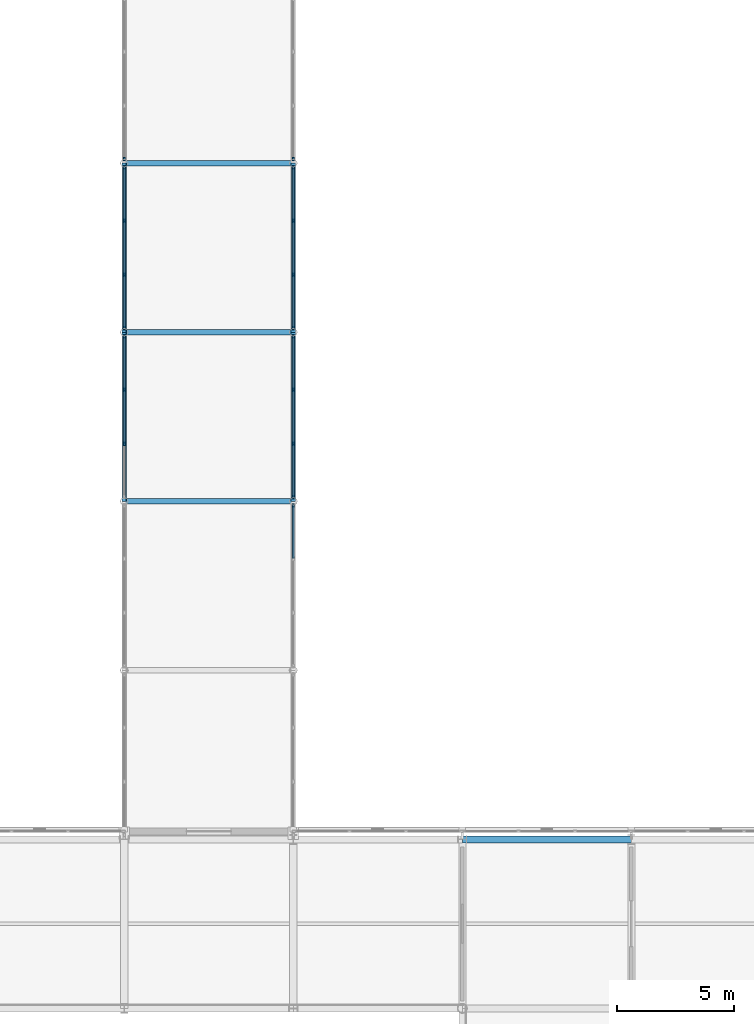
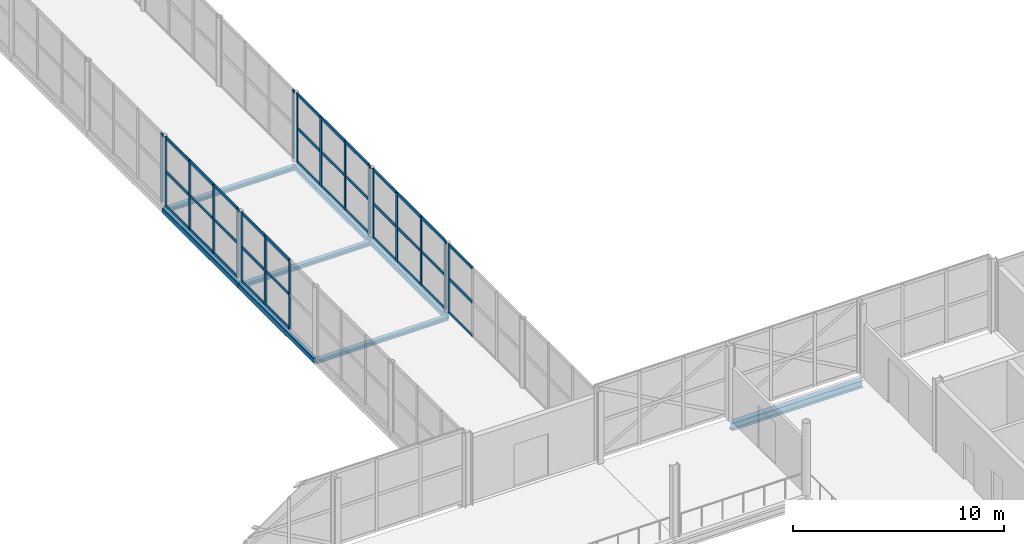
# One storey, part 46 of 146: 54 members, 8 beams, 7 elements without a shape of their own.
"""IFC4 building model written with IfcOpenShell, lengths in metres."""

import ifcopenshell
import ifcopenshell.guid

model = None  # the IFC model being written
_history = None  # IfcOwnerHistory: only IFC2X3 demands one
_inside = {}  # id of a spatial element -> (the spatial element, [elements in it])
_under = {}  # id of a project, library or spatial element -> (it, [spatial elements below it])
_declared = {}  # id of a project -> (the project, [libraries it declares])
_typed = {}  # id of a type object -> (the type object, [elements of that type])
_made_of = {}  # id of a material, layer set ... -> (it, [elements and type objects made of it])


def new_model(schema):
    """Start an empty IFC model of exactly this schema.

    Asked for "IFC4X3", IfcOpenShell would pick the latest addendum, in which some entities
    have other attributes; the version numbers below select the first issue.
    IFC2X3 requires an IfcOwnerHistory on every rooted entity: one is made here for all.
    """
    global model, _history
    if schema == "IFC4X3":
        model = ifcopenshell.file(schema_version=(4, 3, 0, 0))
    else:
        model = ifcopenshell.file(schema=schema)
    _inside.clear()
    _under.clear()
    _declared.clear()
    _typed.clear()
    _made_of.clear()
    _history = None
    if model.schema == "IFC2X3":
        org = make("IfcOrganization", Name="unknown")
        user = make(
            "IfcPersonAndOrganization",
            ThePerson=make("IfcPerson", FamilyName="unknown"),
            TheOrganization=org,
        )
        app = make(
            "IfcApplication",
            ApplicationDeveloper=org,
            Version="unknown",
            ApplicationFullName="unknown",
            ApplicationIdentifier="unknown",
        )
        _history = make(
            "IfcOwnerHistory",
            OwningUser=user,
            OwningApplication=app,
            ChangeAction="ADDED",
            CreationDate=0,
        )
    return model


def make(cls, **values):
    """One entity of the class cls with the attributes given. An attribute that is None is left unset."""
    return model.create_entity(
        cls, **{name: value for name, value in values.items() if value is not None}
    )


def rooted(cls, **values):
    """An entity with a GlobalId (a new one), such as an element, a storey or a relation."""
    return make(cls, GlobalId=ifcopenshell.guid.new(), OwnerHistory=_history, **values)


def si_unit(unit_type, name, prefix=None):
    """IfcSIUnit, for example si_unit("LENGTHUNIT", "METRE", prefix="MILLI")."""
    return make("IfcSIUnit", UnitType=unit_type, Prefix=prefix, Name=name)


def assignment(units):
    """IfcUnitAssignment: the units of a project."""
    return None if units is None else make("IfcUnitAssignment", Units=units)


def point(xyz):
    """IfcCartesianPoint."""
    return None if xyz is None else make("IfcCartesianPoint", Coordinates=xyz)


def direction(xyz):
    """IfcDirection."""
    return None if xyz is None else make("IfcDirection", DirectionRatios=xyz)


def frame(location, z_axis=None, x_axis=None):
    """IfcAxis2Placement3D, a coordinate frame: its origin and axes. An axis left out is left unset."""
    return make(
        "IfcAxis2Placement3D",
        Location=point(location),
        Axis=direction(z_axis),
        RefDirection=direction(x_axis),
    )


def frame_2d(location, x_axis=None):
    """IfcAxis2Placement2D, a coordinate frame in the plane: its origin and x axis."""
    return make(
        "IfcAxis2Placement2D", Location=point(location), RefDirection=direction(x_axis)
    )


def origin():
    """The frame at (0, 0, 0) with its axes left unset."""
    return frame((0.0, 0.0, 0.0))


def origin_2d():
    """The frame at (0, 0) in the plane with its x axis left unset."""
    return frame_2d((0.0, 0.0))


def place(relative_to, where):
    """IfcLocalPlacement: puts the frame where relative to a parent placement (None: the world)."""
    return make(
        "IfcLocalPlacement", PlacementRelTo=relative_to, RelativePlacement=where
    )


def context(
    kind, dimensions, precision=None, world=None, true_north=None, identifier=None
):
    """IfcGeometricRepresentationContext, for example the 3D "Model" context."""
    return make(
        "IfcGeometricRepresentationContext",
        ContextIdentifier=identifier,
        ContextType=kind,
        CoordinateSpaceDimension=dimensions,
        Precision=precision,
        WorldCoordinateSystem=world,
        TrueNorth=true_north,
    )


def subcontext(parent, identifier, kind, view, scale=None):
    """IfcGeometricRepresentationSubContext, for example "Body" below "Model"."""
    return make(
        "IfcGeometricRepresentationSubContext",
        ContextIdentifier=identifier,
        ContextType=kind,
        ParentContext=parent,
        TargetScale=scale,
        TargetView=view,
    )


def project(units=None, contexts=None):
    """IfcProject with its units and contexts."""
    return rooted(
        "IfcProject",
        Name="project",
        RepresentationContexts=contexts,
        UnitsInContext=assignment(units),
    )


def spatial(cls, under=None, at=None, **own):
    """A site, building, storey or space (cls), placed at a placement, below another one or the project."""
    s = rooted(cls, ObjectPlacement=at, **own)
    if under is not None:
        _under.setdefault(under.id(), (under, []))[1].append(s)
    return s


def profile(cls, at=None, kind="AREA", **sizes):
    """A parametric profile (cls). Its sizes go by their IFC names, for example OverallWidth=200.0."""
    return make(cls, ProfileType=kind, Position=at, **sizes)


def rectangle(**sizes):
    """IfcRectangleProfileDef."""
    return profile("IfcRectangleProfileDef", **sizes)


def hollow_rectangle(**sizes):
    """IfcRectangleHollowProfileDef."""
    return profile("IfcRectangleHollowProfileDef", **sizes)


def i_section(**sizes):
    """IfcIShapeProfileDef."""
    return profile("IfcIShapeProfileDef", **sizes)


def extrude(swept, where, along, depth):
    """IfcExtrudedAreaSolid: the profile swept, set in the frame where, extruded along a direction by depth."""
    return make(
        "IfcExtrudedAreaSolid",
        SweptArea=swept,
        Position=where,
        ExtrudedDirection=direction(along),
        Depth=depth,
    )


def shape(context_of_items, identifier, shape_type, items):
    """IfcShapeRepresentation: the items that make up one representation, for example the "Body"."""
    return make(
        "IfcShapeRepresentation",
        ContextOfItems=context_of_items,
        RepresentationIdentifier=identifier,
        RepresentationType=shape_type,
        Items=items,
    )


def material(Name=None, Category=None):
    """IfcMaterial."""
    return make("IfcMaterial", Name=Name, Category=Category)


def material_profile(
    of_material, cross_section, Name=None, Category=None, Priority=None
):
    """IfcMaterialProfile: a cross section and its material."""
    return make(
        "IfcMaterialProfile",
        Name=Name,
        Material=of_material,
        Profile=cross_section,
        Priority=Priority,
        Category=Category,
    )


def profile_set(profiles, Name=None, composite=None):
    """IfcMaterialProfileSet."""
    return make(
        "IfcMaterialProfileSet",
        Name=Name,
        MaterialProfiles=profiles,
        CompositeProfile=composite,
    )


def made_of(thing, what):
    """Note that an element or type object is made of a material, layer set ...; save() writes the relation."""
    if what is not None:
        _made_of.setdefault(what.id(), (what, []))[1].append(thing)
    return thing


def type_object(cls, material=None, **own):
    """A type object (cls), such as IfcWallType, which elements share."""
    return made_of(rooted(cls, **own), material)


def element(
    cls,
    number,
    at=None,
    inside=None,
    cuts=None,
    type_object=None,
    material=None,
    context=None,
    identifier="Body",
    shape_type=None,
    held_by="IfcProductDefinitionShape",
    body=None,
    shapes=None,
    **own,
):
    """One element of the class cls, such as IfcWall. Its Tag is "e" and its number.

    at: its placement. inside: the storey or other place that contains it. cuts: it is an
    opening in that element (IfcRelVoidsElement). A single representation is given by context,
    identifier, shape_type and body (its items); several are given by shapes. held_by: the class
    of the entity that holds the representations. save() writes the other relations.
    """
    e = rooted(cls, Tag="e%d" % number, ObjectPlacement=at, **own)
    if body is not None:
        shapes = [shape(context, identifier, shape_type, body)]
    if shapes is not None:
        e.Representation = make(held_by, Representations=shapes)
    if inside is not None:
        _inside.setdefault(inside.id(), (inside, []))[1].append(e)
    if cuts is not None:
        rooted(
            "IfcRelVoidsElement", RelatingBuildingElement=cuts, RelatedOpeningElement=e
        )
    if type_object is not None:
        _typed.setdefault(type_object.id(), (type_object, []))[1].append(e)
    return made_of(e, material)


def aggregate(whole, parts):
    """IfcRelAggregates: a whole, such as a stair, and the parts it consists of."""
    return rooted("IfcRelAggregates", RelatingObject=whole, RelatedObjects=parts)


def save(model, path):
    """Write the relations noted so far, then the file.

    IfcRelAggregates (storeys below a building ...), IfcRelContainedInSpatialStructure (elements
    in a storey), IfcRelDefinesByType, IfcRelAssociatesMaterial and IfcRelDeclares: one each for
    every whole, place, type object, material and project.
    """
    for whole, parts in _under.values():
        aggregate(whole, parts)
    for where, things in _inside.values():
        rooted(
            "IfcRelContainedInSpatialStructure",
            RelatedElements=things,
            RelatingStructure=where,
        )
    for kind, things in _typed.values():
        rooted("IfcRelDefinesByType", RelatedObjects=things, RelatingType=kind)
    for what, things in _made_of.values():
        rooted("IfcRelAssociatesMaterial", RelatedObjects=things, RelatingMaterial=what)
    for by, libraries in _declared.values():
        rooted("IfcRelDeclares", RelatingContext=by, RelatedDefinitions=libraries)
    model.write(path)


model = new_model("IFC4")

# Units and contexts
model_context = context("Model", 3, precision=1e-05, world=origin(), true_north=direction((0.0, 1.0)))
body_context = subcontext(model_context, "Body", "Model", "MODEL_VIEW")
ifc_project = project(units=[si_unit("LENGTHUNIT", "METRE"), si_unit("AREAUNIT", "SQUARE_METRE"), si_unit("VOLUMEUNIT", "CUBIC_METRE"), si_unit("PLANEANGLEUNIT", "RADIAN"), si_unit("MASSUNIT", "GRAM", prefix="KILO")], contexts=[model_context])

# Site, building, storey
site_placement = place(None, origin())
site = spatial("IfcSite", under=ifc_project, at=site_placement, CompositionType="ELEMENT")
building_placement = place(site_placement, origin())
building = spatial("IfcBuilding", under=site, at=building_placement, Name="Zlatovets Crest Museum", CompositionType="ELEMENT")
storey_placement = place(building_placement, frame((0.0, 0.0, 4.5)))
storey = spatial("IfcBuildingStorey", under=building, at=storey_placement, Name="L01", CompositionType="ELEMENT", Elevation=4.5)

# Beams
ifc_material_1 = material(Name="Structural steel S355J2", Category="steel")
ifc_material_profile_1 = material_profile(ifc_material_1, i_section(OverallWidth=0.239990234375, OverallDepth=0.22998046875, WebThickness=0.007568359375, FlangeThickness=0.011962890625, FilletRadius=0.02099609375, at=origin_2d()), Name="HEA 240")
ifc_profile_set_1 = profile_set([ifc_material_profile_1], Name="Structural steel S355J2")
beam_type_1 = type_object("IfcBeamType", Name="Beam_B-06", PredefinedType="BEAM", material=ifc_profile_set_1)
for number, where, z_axis, x_axis, name in (
    (1, (79.199951171875, 43.199951171875, -0.3701171875), (1.0, 0.0, 0.0), (0.0, 1.0, 0.0), "Central Sculpture Court Cloister and Skywalk L01 Cross Beam"),
    (2, (79.199951171875, 50.39990234375, -0.3701171875), (1.0, 0.0, 0.0), (0.0, 1.0, 0.0), "Central Sculpture Court Cloister and Skywalk L01 Cross Beam"),
    (3, (79.199951171875, 57.60009765625, -0.3701171875), (1.0, 0.0, 0.0), (0.0, 1.0, 0.0), "Central Sculpture Court Cloister and Skywalk L01 Cross Beam"),
):
    element("IfcBeam", number, at=place(storey_placement, frame(where, z_axis=z_axis, x_axis=x_axis)), inside=storey, type_object=beam_type_1, Name=name, PredefinedType="BEAM", context=body_context, shape_type="SweptSolid", body=[
        extrude(i_section(OverallWidth=0.239990234375, OverallDepth=0.22998046875, WebThickness=0.007568359375, FlangeThickness=0.011962890625, FilletRadius=0.02099609375, at=origin_2d()), origin(), (0.0, 0.0, 1.0), 7.199951171875),
    ])
ifc_material_profile_2 = material_profile(ifc_material_1, i_section(OverallWidth=0.300048828125, OverallDepth=0.43994140625, WebThickness=0.011474609375, FlangeThickness=0.02099609375, FilletRadius=0.027099609375, at=origin_2d()), Name="HEA 450")
ifc_profile_set_2 = profile_set([ifc_material_profile_2], Name="Structural steel S355J2")
beam_type_2 = type_object("IfcBeamType", Name="Beam_B-10", PredefinedType="BEAM", material=ifc_profile_set_2)
beam_1_placement = place(storey_placement, frame((93.60009765625, 28.800048828125, -0.43994140625), z_axis=(1.0, 0.0, 0.0), x_axis=(0.0, 1.0, 0.0)))
element("IfcBeam", 4, at=beam_1_placement, inside=storey, type_object=beam_type_2, Name="V2 L01 Primary Girder B-10", PredefinedType="BEAM", context=body_context, shape_type="SweptSolid", body=[
    extrude(i_section(OverallWidth=0.300048828125, OverallDepth=0.43994140625, WebThickness=0.011474609375, FlangeThickness=0.02099609375, FilletRadius=0.027099609375, at=origin_2d()), origin(), (0.0, 0.0, 1.0), 7.199951171875),
])
ifc_material_profile_3 = material_profile(ifc_material_1, hollow_rectangle(XDim=0.199951171875, YDim=0.300048828125, WallThickness=0.012451171875, InnerFilletRadius=0.012451171875, OuterFilletRadius=0.02490234375, at=origin_2d()), Name="RHS 200x300x12.5")
ifc_profile_set_3 = profile_set([ifc_material_profile_3], Name="Structural steel S355J2")
beam_type_3 = type_object("IfcBeamType", Name="Beam_BRG-01", PredefinedType="BEAM", material=ifc_profile_set_3)
beam_2_placement = place(storey_placement, frame((79.199951171875, 43.199951171875, -0.3701171875), z_axis=(0.0, 1.0, 0.0), x_axis=(-1.0, 0.0, 0.0)))
element("IfcBeam", 5, at=beam_2_placement, inside=storey, type_object=beam_type_3, Name="Central Sculpture Court Cloister and Skywalk L01 Stringer Beam", PredefinedType="BEAM", context=body_context, shape_type="SweptSolid", body=[
    extrude(hollow_rectangle(XDim=0.199951171875, YDim=0.300048828125, WallThickness=0.012451171875, InnerFilletRadius=0.012451171875, OuterFilletRadius=0.02490234375, at=origin_2d()), origin(), (0.0, 0.0, 1.0), 7.199951171875),
])
beam_3_placement = place(storey_placement, frame((79.199951171875, 50.39990234375, -0.3701171875), z_axis=(0.0, 1.0, 0.0), x_axis=(-1.0, 0.0, 0.0)))
element("IfcBeam", 6, at=beam_3_placement, inside=storey, type_object=beam_type_3, Name="Central Sculpture Court Cloister and Skywalk L01 Stringer Beam", PredefinedType="BEAM", context=body_context, shape_type="SweptSolid", body=[
    extrude(hollow_rectangle(XDim=0.199951171875, YDim=0.300048828125, WallThickness=0.012451171875, InnerFilletRadius=0.012451171875, OuterFilletRadius=0.02490234375, at=origin_2d()), origin(), (0.0, 0.0, 1.0), 7.2001953125),
])
beam_4_placement = place(storey_placement, frame((86.39990234375, 43.199951171875, -0.3701171875), z_axis=(0.0, 1.0, 0.0), x_axis=(-1.0, 0.0, 0.0)))
element("IfcBeam", 7, at=beam_4_placement, inside=storey, type_object=beam_type_3, Name="Central Sculpture Court Cloister and Skywalk L01 Stringer Beam", PredefinedType="BEAM", context=body_context, shape_type="SweptSolid", body=[
    extrude(hollow_rectangle(XDim=0.199951171875, YDim=0.300048828125, WallThickness=0.012451171875, InnerFilletRadius=0.012451171875, OuterFilletRadius=0.02490234375, at=origin_2d()), origin(), (0.0, 0.0, 1.0), 7.199951171875),
])
beam_5_placement = place(storey_placement, frame((86.39990234375, 50.39990234375, -0.3701171875), z_axis=(0.0, 1.0, 0.0), x_axis=(-1.0, 0.0, 0.0)))
element("IfcBeam", 8, at=beam_5_placement, inside=storey, type_object=beam_type_3, Name="Central Sculpture Court Cloister and Skywalk L01 Stringer Beam", PredefinedType="BEAM", context=body_context, shape_type="SweptSolid", body=[
    extrude(hollow_rectangle(XDim=0.199951171875, YDim=0.300048828125, WallThickness=0.012451171875, InnerFilletRadius=0.012451171875, OuterFilletRadius=0.02490234375, at=origin_2d()), origin(), (0.0, 0.0, 1.0), 7.2001953125),
])

# Curtain wall, members
ifc_material_2 = material(Name="Bronze-anodised aluminium and low-E triple glass", Category="aluminium")
curtain_wall_type = type_object("IfcCurtainWallType", Name="CW_CW-BR5-L01-S69", PredefinedType="NOTDEFINED", material=ifc_material_2)
curtain_wall_1_placement = place(storey_placement, origin())
curtain_wall_1 = element("IfcCurtainWall", 9, at=curtain_wall_1_placement, inside=storey, type_object=curtain_wall_type, Name="Central Sculpture Court Cloister and Skywalk L01 Glazed Bridge Curtain Wall", PredefinedType="NOTDEFINED")
ifc_material_3 = material(Name="Bronze-anodised aluminium EN AW-6060", Category="aluminium")
ifc_material_profile_4 = material_profile(ifc_material_3, rectangle(XDim=0.080078125, YDim=0.159912109375, at=origin_2d()), Name="ALU 80x160")
ifc_profile_set_4 = profile_set([ifc_material_profile_4], Name="Bronze-anodised aluminium EN AW-6060")
member_type_1 = type_object("IfcMemberType", Name="CWMull_M1", PredefinedType="MULLION", material=ifc_profile_set_4)
member_1_placement = place(storey_placement, frame((79.199951171875, 45.64990234375, 0.0), z_axis=(0.0, 0.0, 1.0), x_axis=(-1.0, 0.0, 0.0)))
member_1 = element("IfcMember", 10, at=member_1_placement, type_object=member_type_1, Name="CW-BR5-L01-S69 mullion 2", PredefinedType="MULLION", context=body_context, shape_type="SweptSolid", body=[
    extrude(rectangle(XDim=0.080078125, YDim=0.159912109375, at=origin_2d()), origin(), (0.0, 0.0, 1.0), 3.97998046875),
])
member_2_placement = place(storey_placement, frame((79.199951171875, 47.949951171875, 0.0), z_axis=(0.0, 0.0, 1.0), x_axis=(-1.0, 0.0, 0.0)))
member_2 = element("IfcMember", 11, at=member_2_placement, type_object=member_type_1, Name="CW-BR5-L01-S69 mullion 3", PredefinedType="MULLION", context=body_context, shape_type="SweptSolid", body=[
    extrude(rectangle(XDim=0.080078125, YDim=0.159912109375, at=origin_2d()), origin(), (0.0, 0.0, 1.0), 3.97998046875),
])
member_3_placement = place(storey_placement, frame((79.199951171875, 50.219970703125, 0.0), z_axis=(0.0, 0.0, 1.0), x_axis=(-1.0, 0.0, 0.0)))
member_3 = element("IfcMember", 12, at=member_3_placement, type_object=member_type_1, Name="CW-BR5-L01-S69 mullion 4", PredefinedType="MULLION", context=body_context, shape_type="SweptSolid", body=[
    extrude(rectangle(XDim=0.080078125, YDim=0.159912109375, at=origin_2d()), origin(), (0.0, 0.0, 1.0), 3.97998046875),
])

curtain_wall_2_placement = place(storey_placement, origin())
curtain_wall_2 = element("IfcCurtainWall", 13, at=curtain_wall_2_placement, inside=storey, type_object=curtain_wall_type, Name="Central Sculpture Court Cloister and Skywalk L01 Glazed Bridge Curtain Wall", PredefinedType="NOTDEFINED")
member_4_placement = place(storey_placement, frame((79.199951171875, 50.580078125, 0.0), z_axis=(0.0, 0.0, 1.0), x_axis=(-1.0, 0.0, 0.0)))
member_4 = element("IfcMember", 14, at=member_4_placement, type_object=member_type_1, Name="CW-BR5-L01-S69 mullion 1", PredefinedType="MULLION", context=body_context, shape_type="SweptSolid", body=[
    extrude(rectangle(XDim=0.080078125, YDim=0.159912109375, at=origin_2d()), origin(), (0.0, 0.0, 1.0), 3.97998046875),
])
member_5_placement = place(storey_placement, frame((79.199951171875, 52.85009765625, 0.0), z_axis=(0.0, 0.0, 1.0), x_axis=(-1.0, 0.0, 0.0)))
member_5 = element("IfcMember", 15, at=member_5_placement, type_object=member_type_1, Name="CW-BR5-L01-S69 mullion 2", PredefinedType="MULLION", context=body_context, shape_type="SweptSolid", body=[
    extrude(rectangle(XDim=0.080078125, YDim=0.159912109375, at=origin_2d()), origin(), (0.0, 0.0, 1.0), 3.97998046875),
])
member_6_placement = place(storey_placement, frame((79.199951171875, 55.14990234375, 0.0), z_axis=(0.0, 0.0, 1.0), x_axis=(-1.0, 0.0, 0.0)))
member_6 = element("IfcMember", 16, at=member_6_placement, type_object=member_type_1, Name="CW-BR5-L01-S69 mullion 3", PredefinedType="MULLION", context=body_context, shape_type="SweptSolid", body=[
    extrude(rectangle(XDim=0.080078125, YDim=0.159912109375, at=origin_2d()), origin(), (0.0, 0.0, 1.0), 3.97998046875),
])
member_7_placement = place(storey_placement, frame((79.199951171875, 57.419921875, 0.0), z_axis=(0.0, 0.0, 1.0), x_axis=(-1.0, 0.0, 0.0)))
member_7 = element("IfcMember", 17, at=member_7_placement, type_object=member_type_1, Name="CW-BR5-L01-S69 mullion 4", PredefinedType="MULLION", context=body_context, shape_type="SweptSolid", body=[
    extrude(rectangle(XDim=0.080078125, YDim=0.159912109375, at=origin_2d()), origin(), (0.0, 0.0, 1.0), 3.97998046875),
])

# Curtain wall, member
curtain_wall_3_placement = place(storey_placement, origin())
curtain_wall_3 = element("IfcCurtainWall", 18, at=curtain_wall_3_placement, inside=storey, type_object=curtain_wall_type, Name="Central Sculpture Court Cloister and Skywalk L01 Glazed Bridge Curtain Wall", PredefinedType="NOTDEFINED")
member_8_placement = place(storey_placement, frame((79.199951171875, 57.780029296875, 0.0), z_axis=(0.0, 0.0, 1.0), x_axis=(-1.0, 0.0, 0.0)))
member_8 = element("IfcMember", 19, at=member_8_placement, type_object=member_type_1, Name="CW-BR5-L01-S69 mullion 1", PredefinedType="MULLION", context=body_context, shape_type="SweptSolid", body=[
    extrude(rectangle(XDim=0.080078125, YDim=0.159912109375, at=origin_2d()), origin(), (0.0, 0.0, 1.0), 3.97998046875),
])
aggregate(curtain_wall_3, [member_8])

curtain_wall_4_placement = place(storey_placement, origin())
curtain_wall_4 = element("IfcCurtainWall", 20, at=curtain_wall_4_placement, inside=storey, type_object=curtain_wall_type, Name="Central Sculpture Court Cloister and Skywalk L01 Glazed Bridge Curtain Wall", PredefinedType="NOTDEFINED")
member_9_placement = place(storey_placement, frame((86.39990234375, 43.02001953125, 0.0), z_axis=(0.0, 0.0, 1.0), x_axis=(-1.0, 0.0, 0.0)))
member_9 = element("IfcMember", 21, at=member_9_placement, type_object=member_type_1, Name="CW-BR5-L01-S69 mullion 4", PredefinedType="MULLION", context=body_context, shape_type="SweptSolid", body=[
    extrude(rectangle(XDim=0.080078125, YDim=0.159912109375, at=origin_2d()), origin(), (0.0, 0.0, 1.0), 3.97998046875),
])

# Curtain wall, members
curtain_wall_5_placement = place(storey_placement, origin())
curtain_wall_5 = element("IfcCurtainWall", 22, at=curtain_wall_5_placement, inside=storey, type_object=curtain_wall_type, Name="Central Sculpture Court Cloister and Skywalk L01 Glazed Bridge Curtain Wall", PredefinedType="NOTDEFINED")
member_10_placement = place(storey_placement, frame((86.39990234375, 43.3798828125, 0.0), z_axis=(0.0, 0.0, 1.0), x_axis=(-1.0, 0.0, 0.0)))
member_10 = element("IfcMember", 23, at=member_10_placement, type_object=member_type_1, Name="CW-BR5-L01-S69 mullion 1", PredefinedType="MULLION", context=body_context, shape_type="SweptSolid", body=[
    extrude(rectangle(XDim=0.080078125, YDim=0.159912109375, at=origin_2d()), origin(), (0.0, 0.0, 1.0), 3.97998046875),
])
member_11_placement = place(storey_placement, frame((86.39990234375, 45.64990234375, 0.0), z_axis=(0.0, 0.0, 1.0), x_axis=(-1.0, 0.0, 0.0)))
member_11 = element("IfcMember", 24, at=member_11_placement, type_object=member_type_1, Name="CW-BR5-L01-S69 mullion 2", PredefinedType="MULLION", context=body_context, shape_type="SweptSolid", body=[
    extrude(rectangle(XDim=0.080078125, YDim=0.159912109375, at=origin_2d()), origin(), (0.0, 0.0, 1.0), 3.97998046875),
])
member_12_placement = place(storey_placement, frame((86.39990234375, 47.949951171875, 0.0), z_axis=(0.0, 0.0, 1.0), x_axis=(-1.0, 0.0, 0.0)))
member_12 = element("IfcMember", 25, at=member_12_placement, type_object=member_type_1, Name="CW-BR5-L01-S69 mullion 3", PredefinedType="MULLION", context=body_context, shape_type="SweptSolid", body=[
    extrude(rectangle(XDim=0.080078125, YDim=0.159912109375, at=origin_2d()), origin(), (0.0, 0.0, 1.0), 3.97998046875),
])
member_13_placement = place(storey_placement, frame((86.39990234375, 50.219970703125, 0.0), z_axis=(0.0, 0.0, 1.0), x_axis=(-1.0, 0.0, 0.0)))
member_13 = element("IfcMember", 26, at=member_13_placement, type_object=member_type_1, Name="CW-BR5-L01-S69 mullion 4", PredefinedType="MULLION", context=body_context, shape_type="SweptSolid", body=[
    extrude(rectangle(XDim=0.080078125, YDim=0.159912109375, at=origin_2d()), origin(), (0.0, 0.0, 1.0), 3.97998046875),
])

curtain_wall_6_placement = place(storey_placement, origin())
curtain_wall_6 = element("IfcCurtainWall", 27, at=curtain_wall_6_placement, inside=storey, type_object=curtain_wall_type, Name="Central Sculpture Court Cloister and Skywalk L01 Glazed Bridge Curtain Wall", PredefinedType="NOTDEFINED")
member_14_placement = place(storey_placement, frame((86.39990234375, 50.580078125, 0.0), z_axis=(0.0, 0.0, 1.0), x_axis=(-1.0, 0.0, 0.0)))
member_14 = element("IfcMember", 28, at=member_14_placement, type_object=member_type_1, Name="CW-BR5-L01-S69 mullion 1", PredefinedType="MULLION", context=body_context, shape_type="SweptSolid", body=[
    extrude(rectangle(XDim=0.080078125, YDim=0.159912109375, at=origin_2d()), origin(), (0.0, 0.0, 1.0), 3.97998046875),
])
member_15_placement = place(storey_placement, frame((86.39990234375, 52.85009765625, 0.0), z_axis=(0.0, 0.0, 1.0), x_axis=(-1.0, 0.0, 0.0)))
member_15 = element("IfcMember", 29, at=member_15_placement, type_object=member_type_1, Name="CW-BR5-L01-S69 mullion 2", PredefinedType="MULLION", context=body_context, shape_type="SweptSolid", body=[
    extrude(rectangle(XDim=0.080078125, YDim=0.159912109375, at=origin_2d()), origin(), (0.0, 0.0, 1.0), 3.97998046875),
])
member_16_placement = place(storey_placement, frame((86.39990234375, 55.14990234375, 0.0), z_axis=(0.0, 0.0, 1.0), x_axis=(-1.0, 0.0, 0.0)))
member_16 = element("IfcMember", 30, at=member_16_placement, type_object=member_type_1, Name="CW-BR5-L01-S69 mullion 3", PredefinedType="MULLION", context=body_context, shape_type="SweptSolid", body=[
    extrude(rectangle(XDim=0.080078125, YDim=0.159912109375, at=origin_2d()), origin(), (0.0, 0.0, 1.0), 3.97998046875),
])
member_17_placement = place(storey_placement, frame((86.39990234375, 57.419921875, 0.0), z_axis=(0.0, 0.0, 1.0), x_axis=(-1.0, 0.0, 0.0)))
member_17 = element("IfcMember", 31, at=member_17_placement, type_object=member_type_1, Name="CW-BR5-L01-S69 mullion 4", PredefinedType="MULLION", context=body_context, shape_type="SweptSolid", body=[
    extrude(rectangle(XDim=0.080078125, YDim=0.159912109375, at=origin_2d()), origin(), (0.0, 0.0, 1.0), 3.97998046875),
])

# Curtain wall, member
curtain_wall_7_placement = place(storey_placement, origin())
curtain_wall_7 = element("IfcCurtainWall", 32, at=curtain_wall_7_placement, inside=storey, type_object=curtain_wall_type, Name="Central Sculpture Court Cloister and Skywalk L01 Glazed Bridge Curtain Wall", PredefinedType="NOTDEFINED")
member_18_placement = place(storey_placement, frame((86.39990234375, 57.780029296875, 0.0), z_axis=(0.0, 0.0, 1.0), x_axis=(-1.0, 0.0, 0.0)))
member_18 = element("IfcMember", 33, at=member_18_placement, type_object=member_type_1, Name="CW-BR5-L01-S69 mullion 1", PredefinedType="MULLION", context=body_context, shape_type="SweptSolid", body=[
    extrude(rectangle(XDim=0.080078125, YDim=0.159912109375, at=origin_2d()), origin(), (0.0, 0.0, 1.0), 3.97998046875),
])
aggregate(curtain_wall_7, [member_18])

# Member
ifc_material_profile_5 = material_profile(ifc_material_3, rectangle(XDim=0.080078125, YDim=0.159912109375, at=origin_2d()), Name="ALU 80x160")
ifc_profile_set_5 = profile_set([ifc_material_profile_5], Name="Bronze-anodised aluminium EN AW-6060")
member_type_2 = type_object("IfcMemberType", Name="CWTrans_T1", PredefinedType="USERDEFINED", material=ifc_profile_set_5)
member_19_placement = place(storey_placement, frame((79.199951171875, 45.679931640625, 0.030029296875), z_axis=(0.0, 1.0, 0.0), x_axis=(-1.0, 0.0, 0.0)))
member_19 = element("IfcMember", 34, at=member_19_placement, type_object=member_type_2, Name="CW-BR5-L01-S69 transom 2.1", ObjectType="TRANSOM", PredefinedType="USERDEFINED", context=body_context, shape_type="SweptSolid", body=[
    extrude(rectangle(XDim=0.080078125, YDim=0.159912109375, at=origin_2d()), origin(), (0.0, 0.0, 1.0), 2.239990234375),
])

member_20_placement = place(storey_placement, frame((79.199951171875, 45.679931640625, 1.989990234375), z_axis=(0.0, 1.0, 0.0), x_axis=(-1.0, 0.0, 0.0)))
member_20 = element("IfcMember", 35, at=member_20_placement, type_object=member_type_2, Name="CW-BR5-L01-S69 transom 2.2", ObjectType="TRANSOM", PredefinedType="USERDEFINED", context=body_context, shape_type="SweptSolid", body=[
    extrude(rectangle(XDim=0.080078125, YDim=0.159912109375, at=origin_2d()), origin(), (0.0, 0.0, 1.0), 2.239990234375),
])

member_21_placement = place(storey_placement, frame((79.199951171875, 45.679931640625, 3.949951171875), z_axis=(0.0, 1.0, 0.0), x_axis=(-1.0, 0.0, 0.0)))
member_21 = element("IfcMember", 36, at=member_21_placement, type_object=member_type_2, Name="CW-BR5-L01-S69 transom 2.3", ObjectType="TRANSOM", PredefinedType="USERDEFINED", context=body_context, shape_type="SweptSolid", body=[
    extrude(rectangle(XDim=0.080078125, YDim=0.159912109375, at=origin_2d()), origin(), (0.0, 0.0, 1.0), 2.239990234375),
])

member_22_placement = place(storey_placement, frame((79.199951171875, 47.97998046875, 0.030029296875), z_axis=(0.0, 1.0, 0.0), x_axis=(-1.0, 0.0, 0.0)))
member_22 = element("IfcMember", 37, at=member_22_placement, type_object=member_type_2, Name="CW-BR5-L01-S69 transom 3.1", ObjectType="TRANSOM", PredefinedType="USERDEFINED", context=body_context, shape_type="SweptSolid", body=[
    extrude(rectangle(XDim=0.080078125, YDim=0.159912109375, at=origin_2d()), origin(), (0.0, 0.0, 1.0), 2.2099609375),
])

member_23_placement = place(storey_placement, frame((79.199951171875, 47.97998046875, 1.989990234375), z_axis=(0.0, 1.0, 0.0), x_axis=(-1.0, 0.0, 0.0)))
member_23 = element("IfcMember", 38, at=member_23_placement, type_object=member_type_2, Name="CW-BR5-L01-S69 transom 3.2", ObjectType="TRANSOM", PredefinedType="USERDEFINED", context=body_context, shape_type="SweptSolid", body=[
    extrude(rectangle(XDim=0.080078125, YDim=0.159912109375, at=origin_2d()), origin(), (0.0, 0.0, 1.0), 2.2099609375),
])

member_24_placement = place(storey_placement, frame((79.199951171875, 47.97998046875, 3.949951171875), z_axis=(0.0, 1.0, 0.0), x_axis=(-1.0, 0.0, 0.0)))
member_24 = element("IfcMember", 39, at=member_24_placement, type_object=member_type_2, Name="CW-BR5-L01-S69 transom 3.3", ObjectType="TRANSOM", PredefinedType="USERDEFINED", context=body_context, shape_type="SweptSolid", body=[
    extrude(rectangle(XDim=0.080078125, YDim=0.159912109375, at=origin_2d()), origin(), (0.0, 0.0, 1.0), 2.2099609375),
])

aggregate(curtain_wall_1, [member_1, member_2, member_3, member_19, member_20, member_21, member_22, member_23, member_24])

member_25_placement = place(storey_placement, frame((79.199951171875, 50.610107421875, 0.030029296875), z_axis=(0.0, 1.0, 0.0), x_axis=(-1.0, 0.0, 0.0)))
member_25 = element("IfcMember", 40, at=member_25_placement, type_object=member_type_2, Name="CW-BR5-L01-S69 transom 1.1", ObjectType="TRANSOM", PredefinedType="USERDEFINED", context=body_context, shape_type="SweptSolid", body=[
    extrude(rectangle(XDim=0.080078125, YDim=0.159912109375, at=origin_2d()), origin(), (0.0, 0.0, 1.0), 2.2099609375),
])

member_26_placement = place(storey_placement, frame((79.199951171875, 50.610107421875, 1.989990234375), z_axis=(0.0, 1.0, 0.0), x_axis=(-1.0, 0.0, 0.0)))
member_26 = element("IfcMember", 41, at=member_26_placement, type_object=member_type_2, Name="CW-BR5-L01-S69 transom 1.2", ObjectType="TRANSOM", PredefinedType="USERDEFINED", context=body_context, shape_type="SweptSolid", body=[
    extrude(rectangle(XDim=0.080078125, YDim=0.159912109375, at=origin_2d()), origin(), (0.0, 0.0, 1.0), 2.2099609375),
])

member_27_placement = place(storey_placement, frame((79.199951171875, 50.610107421875, 3.949951171875), z_axis=(0.0, 1.0, 0.0), x_axis=(-1.0, 0.0, 0.0)))
member_27 = element("IfcMember", 42, at=member_27_placement, type_object=member_type_2, Name="CW-BR5-L01-S69 transom 1.3", ObjectType="TRANSOM", PredefinedType="USERDEFINED", context=body_context, shape_type="SweptSolid", body=[
    extrude(rectangle(XDim=0.080078125, YDim=0.159912109375, at=origin_2d()), origin(), (0.0, 0.0, 1.0), 2.2099609375),
])

member_28_placement = place(storey_placement, frame((79.199951171875, 52.8798828125, 0.030029296875), z_axis=(0.0, 1.0, 0.0), x_axis=(-1.0, 0.0, 0.0)))
member_28 = element("IfcMember", 43, at=member_28_placement, type_object=member_type_2, Name="CW-BR5-L01-S69 transom 2.1", ObjectType="TRANSOM", PredefinedType="USERDEFINED", context=body_context, shape_type="SweptSolid", body=[
    extrude(rectangle(XDim=0.080078125, YDim=0.159912109375, at=origin_2d()), origin(), (0.0, 0.0, 1.0), 2.240234375),
])

member_29_placement = place(storey_placement, frame((79.199951171875, 52.8798828125, 1.989990234375), z_axis=(0.0, 1.0, 0.0), x_axis=(-1.0, 0.0, 0.0)))
member_29 = element("IfcMember", 44, at=member_29_placement, type_object=member_type_2, Name="CW-BR5-L01-S69 transom 2.2", ObjectType="TRANSOM", PredefinedType="USERDEFINED", context=body_context, shape_type="SweptSolid", body=[
    extrude(rectangle(XDim=0.080078125, YDim=0.159912109375, at=origin_2d()), origin(), (0.0, 0.0, 1.0), 2.240234375),
])

member_30_placement = place(storey_placement, frame((79.199951171875, 52.8798828125, 3.949951171875), z_axis=(0.0, 1.0, 0.0), x_axis=(-1.0, 0.0, 0.0)))
member_30 = element("IfcMember", 45, at=member_30_placement, type_object=member_type_2, Name="CW-BR5-L01-S69 transom 2.3", ObjectType="TRANSOM", PredefinedType="USERDEFINED", context=body_context, shape_type="SweptSolid", body=[
    extrude(rectangle(XDim=0.080078125, YDim=0.159912109375, at=origin_2d()), origin(), (0.0, 0.0, 1.0), 2.240234375),
])

member_31_placement = place(storey_placement, frame((79.199951171875, 55.179931640625, 0.030029296875), z_axis=(0.0, 1.0, 0.0), x_axis=(-1.0, 0.0, 0.0)))
member_31 = element("IfcMember", 46, at=member_31_placement, type_object=member_type_2, Name="CW-BR5-L01-S69 transom 3.1", ObjectType="TRANSOM", PredefinedType="USERDEFINED", context=body_context, shape_type="SweptSolid", body=[
    extrude(rectangle(XDim=0.080078125, YDim=0.159912109375, at=origin_2d()), origin(), (0.0, 0.0, 1.0), 2.2099609375),
])

member_32_placement = place(storey_placement, frame((79.199951171875, 55.179931640625, 1.989990234375), z_axis=(0.0, 1.0, 0.0), x_axis=(-1.0, 0.0, 0.0)))
member_32 = element("IfcMember", 47, at=member_32_placement, type_object=member_type_2, Name="CW-BR5-L01-S69 transom 3.2", ObjectType="TRANSOM", PredefinedType="USERDEFINED", context=body_context, shape_type="SweptSolid", body=[
    extrude(rectangle(XDim=0.080078125, YDim=0.159912109375, at=origin_2d()), origin(), (0.0, 0.0, 1.0), 2.2099609375),
])

member_33_placement = place(storey_placement, frame((79.199951171875, 55.179931640625, 3.949951171875), z_axis=(0.0, 1.0, 0.0), x_axis=(-1.0, 0.0, 0.0)))
member_33 = element("IfcMember", 48, at=member_33_placement, type_object=member_type_2, Name="CW-BR5-L01-S69 transom 3.3", ObjectType="TRANSOM", PredefinedType="USERDEFINED", context=body_context, shape_type="SweptSolid", body=[
    extrude(rectangle(XDim=0.080078125, YDim=0.159912109375, at=origin_2d()), origin(), (0.0, 0.0, 1.0), 2.2099609375),
])

aggregate(curtain_wall_2, [member_4, member_5, member_6, member_7, member_25, member_26, member_27, member_28, member_29, member_30, member_31, member_32, member_33])

member_34_placement = place(storey_placement, frame((86.39990234375, 40.780029296875, 0.030029296875), z_axis=(0.0, 1.0, 0.0), x_axis=(-1.0, 0.0, 0.0)))
member_34 = element("IfcMember", 49, at=member_34_placement, type_object=member_type_2, Name="CW-BR5-L01-S69 transom 3.1", ObjectType="TRANSOM", PredefinedType="USERDEFINED", context=body_context, shape_type="SweptSolid", body=[
    extrude(rectangle(XDim=0.080078125, YDim=0.159912109375, at=origin_2d()), origin(), (0.0, 0.0, 1.0), 2.2099609375),
])

member_35_placement = place(storey_placement, frame((86.39990234375, 40.780029296875, 1.989990234375), z_axis=(0.0, 1.0, 0.0), x_axis=(-1.0, 0.0, 0.0)))
member_35 = element("IfcMember", 50, at=member_35_placement, type_object=member_type_2, Name="CW-BR5-L01-S69 transom 3.2", ObjectType="TRANSOM", PredefinedType="USERDEFINED", context=body_context, shape_type="SweptSolid", body=[
    extrude(rectangle(XDim=0.080078125, YDim=0.159912109375, at=origin_2d()), origin(), (0.0, 0.0, 1.0), 2.2099609375),
])

member_36_placement = place(storey_placement, frame((86.39990234375, 40.780029296875, 3.949951171875), z_axis=(0.0, 1.0, 0.0), x_axis=(-1.0, 0.0, 0.0)))
member_36 = element("IfcMember", 51, at=member_36_placement, type_object=member_type_2, Name="CW-BR5-L01-S69 transom 3.3", ObjectType="TRANSOM", PredefinedType="USERDEFINED", context=body_context, shape_type="SweptSolid", body=[
    extrude(rectangle(XDim=0.080078125, YDim=0.159912109375, at=origin_2d()), origin(), (0.0, 0.0, 1.0), 2.2099609375),
])

aggregate(curtain_wall_4, [member_9, member_34, member_35, member_36])

member_37_placement = place(storey_placement, frame((86.39990234375, 43.409912109375, 0.030029296875), z_axis=(0.0, 1.0, 0.0), x_axis=(-1.0, 0.0, 0.0)))
member_37 = element("IfcMember", 52, at=member_37_placement, type_object=member_type_2, Name="CW-BR5-L01-S69 transom 1.1", ObjectType="TRANSOM", PredefinedType="USERDEFINED", context=body_context, shape_type="SweptSolid", body=[
    extrude(rectangle(XDim=0.080078125, YDim=0.159912109375, at=origin_2d()), origin(), (0.0, 0.0, 1.0), 2.210205078125),
])

member_38_placement = place(storey_placement, frame((86.39990234375, 43.409912109375, 1.989990234375), z_axis=(0.0, 1.0, 0.0), x_axis=(-1.0, 0.0, 0.0)))
member_38 = element("IfcMember", 53, at=member_38_placement, type_object=member_type_2, Name="CW-BR5-L01-S69 transom 1.2", ObjectType="TRANSOM", PredefinedType="USERDEFINED", context=body_context, shape_type="SweptSolid", body=[
    extrude(rectangle(XDim=0.080078125, YDim=0.159912109375, at=origin_2d()), origin(), (0.0, 0.0, 1.0), 2.210205078125),
])

member_39_placement = place(storey_placement, frame((86.39990234375, 43.409912109375, 3.949951171875), z_axis=(0.0, 1.0, 0.0), x_axis=(-1.0, 0.0, 0.0)))
member_39 = element("IfcMember", 54, at=member_39_placement, type_object=member_type_2, Name="CW-BR5-L01-S69 transom 1.3", ObjectType="TRANSOM", PredefinedType="USERDEFINED", context=body_context, shape_type="SweptSolid", body=[
    extrude(rectangle(XDim=0.080078125, YDim=0.159912109375, at=origin_2d()), origin(), (0.0, 0.0, 1.0), 2.210205078125),
])

member_40_placement = place(storey_placement, frame((86.39990234375, 45.679931640625, 0.030029296875), z_axis=(0.0, 1.0, 0.0), x_axis=(-1.0, 0.0, 0.0)))
member_40 = element("IfcMember", 55, at=member_40_placement, type_object=member_type_2, Name="CW-BR5-L01-S69 transom 2.1", ObjectType="TRANSOM", PredefinedType="USERDEFINED", context=body_context, shape_type="SweptSolid", body=[
    extrude(rectangle(XDim=0.080078125, YDim=0.159912109375, at=origin_2d()), origin(), (0.0, 0.0, 1.0), 2.239990234375),
])

member_41_placement = place(storey_placement, frame((86.39990234375, 45.679931640625, 1.989990234375), z_axis=(0.0, 1.0, 0.0), x_axis=(-1.0, 0.0, 0.0)))
member_41 = element("IfcMember", 56, at=member_41_placement, type_object=member_type_2, Name="CW-BR5-L01-S69 transom 2.2", ObjectType="TRANSOM", PredefinedType="USERDEFINED", context=body_context, shape_type="SweptSolid", body=[
    extrude(rectangle(XDim=0.080078125, YDim=0.159912109375, at=origin_2d()), origin(), (0.0, 0.0, 1.0), 2.239990234375),
])

member_42_placement = place(storey_placement, frame((86.39990234375, 45.679931640625, 3.949951171875), z_axis=(0.0, 1.0, 0.0), x_axis=(-1.0, 0.0, 0.0)))
member_42 = element("IfcMember", 57, at=member_42_placement, type_object=member_type_2, Name="CW-BR5-L01-S69 transom 2.3", ObjectType="TRANSOM", PredefinedType="USERDEFINED", context=body_context, shape_type="SweptSolid", body=[
    extrude(rectangle(XDim=0.080078125, YDim=0.159912109375, at=origin_2d()), origin(), (0.0, 0.0, 1.0), 2.239990234375),
])

member_43_placement = place(storey_placement, frame((86.39990234375, 47.97998046875, 0.030029296875), z_axis=(0.0, 1.0, 0.0), x_axis=(-1.0, 0.0, 0.0)))
member_43 = element("IfcMember", 58, at=member_43_placement, type_object=member_type_2, Name="CW-BR5-L01-S69 transom 3.1", ObjectType="TRANSOM", PredefinedType="USERDEFINED", context=body_context, shape_type="SweptSolid", body=[
    extrude(rectangle(XDim=0.080078125, YDim=0.159912109375, at=origin_2d()), origin(), (0.0, 0.0, 1.0), 2.2099609375),
])

member_44_placement = place(storey_placement, frame((86.39990234375, 47.97998046875, 1.989990234375), z_axis=(0.0, 1.0, 0.0), x_axis=(-1.0, 0.0, 0.0)))
member_44 = element("IfcMember", 59, at=member_44_placement, type_object=member_type_2, Name="CW-BR5-L01-S69 transom 3.2", ObjectType="TRANSOM", PredefinedType="USERDEFINED", context=body_context, shape_type="SweptSolid", body=[
    extrude(rectangle(XDim=0.080078125, YDim=0.159912109375, at=origin_2d()), origin(), (0.0, 0.0, 1.0), 2.2099609375),
])

member_45_placement = place(storey_placement, frame((86.39990234375, 47.97998046875, 3.949951171875), z_axis=(0.0, 1.0, 0.0), x_axis=(-1.0, 0.0, 0.0)))
member_45 = element("IfcMember", 60, at=member_45_placement, type_object=member_type_2, Name="CW-BR5-L01-S69 transom 3.3", ObjectType="TRANSOM", PredefinedType="USERDEFINED", context=body_context, shape_type="SweptSolid", body=[
    extrude(rectangle(XDim=0.080078125, YDim=0.159912109375, at=origin_2d()), origin(), (0.0, 0.0, 1.0), 2.2099609375),
])

aggregate(curtain_wall_5, [member_10, member_11, member_12, member_13, member_37, member_38, member_39, member_40, member_41, member_42, member_43, member_44, member_45])

member_46_placement = place(storey_placement, frame((86.39990234375, 50.610107421875, 0.030029296875), z_axis=(0.0, 1.0, 0.0), x_axis=(-1.0, 0.0, 0.0)))
member_46 = element("IfcMember", 61, at=member_46_placement, type_object=member_type_2, Name="CW-BR5-L01-S69 transom 1.1", ObjectType="TRANSOM", PredefinedType="USERDEFINED", context=body_context, shape_type="SweptSolid", body=[
    extrude(rectangle(XDim=0.080078125, YDim=0.159912109375, at=origin_2d()), origin(), (0.0, 0.0, 1.0), 2.2099609375),
])

member_47_placement = place(storey_placement, frame((86.39990234375, 50.610107421875, 1.989990234375), z_axis=(0.0, 1.0, 0.0), x_axis=(-1.0, 0.0, 0.0)))
member_47 = element("IfcMember", 62, at=member_47_placement, type_object=member_type_2, Name="CW-BR5-L01-S69 transom 1.2", ObjectType="TRANSOM", PredefinedType="USERDEFINED", context=body_context, shape_type="SweptSolid", body=[
    extrude(rectangle(XDim=0.080078125, YDim=0.159912109375, at=origin_2d()), origin(), (0.0, 0.0, 1.0), 2.2099609375),
])

member_48_placement = place(storey_placement, frame((86.39990234375, 50.610107421875, 3.949951171875), z_axis=(0.0, 1.0, 0.0), x_axis=(-1.0, 0.0, 0.0)))
member_48 = element("IfcMember", 63, at=member_48_placement, type_object=member_type_2, Name="CW-BR5-L01-S69 transom 1.3", ObjectType="TRANSOM", PredefinedType="USERDEFINED", context=body_context, shape_type="SweptSolid", body=[
    extrude(rectangle(XDim=0.080078125, YDim=0.159912109375, at=origin_2d()), origin(), (0.0, 0.0, 1.0), 2.2099609375),
])

member_49_placement = place(storey_placement, frame((86.39990234375, 52.8798828125, 0.030029296875), z_axis=(0.0, 1.0, 0.0), x_axis=(-1.0, 0.0, 0.0)))
member_49 = element("IfcMember", 64, at=member_49_placement, type_object=member_type_2, Name="CW-BR5-L01-S69 transom 2.1", ObjectType="TRANSOM", PredefinedType="USERDEFINED", context=body_context, shape_type="SweptSolid", body=[
    extrude(rectangle(XDim=0.080078125, YDim=0.159912109375, at=origin_2d()), origin(), (0.0, 0.0, 1.0), 2.240234375),
])

member_50_placement = place(storey_placement, frame((86.39990234375, 52.8798828125, 1.989990234375), z_axis=(0.0, 1.0, 0.0), x_axis=(-1.0, 0.0, 0.0)))
member_50 = element("IfcMember", 65, at=member_50_placement, type_object=member_type_2, Name="CW-BR5-L01-S69 transom 2.2", ObjectType="TRANSOM", PredefinedType="USERDEFINED", context=body_context, shape_type="SweptSolid", body=[
    extrude(rectangle(XDim=0.080078125, YDim=0.159912109375, at=origin_2d()), origin(), (0.0, 0.0, 1.0), 2.240234375),
])

member_51_placement = place(storey_placement, frame((86.39990234375, 52.8798828125, 3.949951171875), z_axis=(0.0, 1.0, 0.0), x_axis=(-1.0, 0.0, 0.0)))
member_51 = element("IfcMember", 66, at=member_51_placement, type_object=member_type_2, Name="CW-BR5-L01-S69 transom 2.3", ObjectType="TRANSOM", PredefinedType="USERDEFINED", context=body_context, shape_type="SweptSolid", body=[
    extrude(rectangle(XDim=0.080078125, YDim=0.159912109375, at=origin_2d()), origin(), (0.0, 0.0, 1.0), 2.240234375),
])

member_52_placement = place(storey_placement, frame((86.39990234375, 55.179931640625, 0.030029296875), z_axis=(0.0, 1.0, 0.0), x_axis=(-1.0, 0.0, 0.0)))
member_52 = element("IfcMember", 67, at=member_52_placement, type_object=member_type_2, Name="CW-BR5-L01-S69 transom 3.1", ObjectType="TRANSOM", PredefinedType="USERDEFINED", context=body_context, shape_type="SweptSolid", body=[
    extrude(rectangle(XDim=0.080078125, YDim=0.159912109375, at=origin_2d()), origin(), (0.0, 0.0, 1.0), 2.2099609375),
])

member_53_placement = place(storey_placement, frame((86.39990234375, 55.179931640625, 1.989990234375), z_axis=(0.0, 1.0, 0.0), x_axis=(-1.0, 0.0, 0.0)))
member_53 = element("IfcMember", 68, at=member_53_placement, type_object=member_type_2, Name="CW-BR5-L01-S69 transom 3.2", ObjectType="TRANSOM", PredefinedType="USERDEFINED", context=body_context, shape_type="SweptSolid", body=[
    extrude(rectangle(XDim=0.080078125, YDim=0.159912109375, at=origin_2d()), origin(), (0.0, 0.0, 1.0), 2.2099609375),
])

member_54_placement = place(storey_placement, frame((86.39990234375, 55.179931640625, 3.949951171875), z_axis=(0.0, 1.0, 0.0), x_axis=(-1.0, 0.0, 0.0)))
member_54 = element("IfcMember", 69, at=member_54_placement, type_object=member_type_2, Name="CW-BR5-L01-S69 transom 3.3", ObjectType="TRANSOM", PredefinedType="USERDEFINED", context=body_context, shape_type="SweptSolid", body=[
    extrude(rectangle(XDim=0.080078125, YDim=0.159912109375, at=origin_2d()), origin(), (0.0, 0.0, 1.0), 2.2099609375),
])

aggregate(curtain_wall_6, [member_14, member_15, member_16, member_17, member_46, member_47, member_48, member_49, member_50, member_51, member_52, member_53, member_54])

save(model, "model.ifc")
